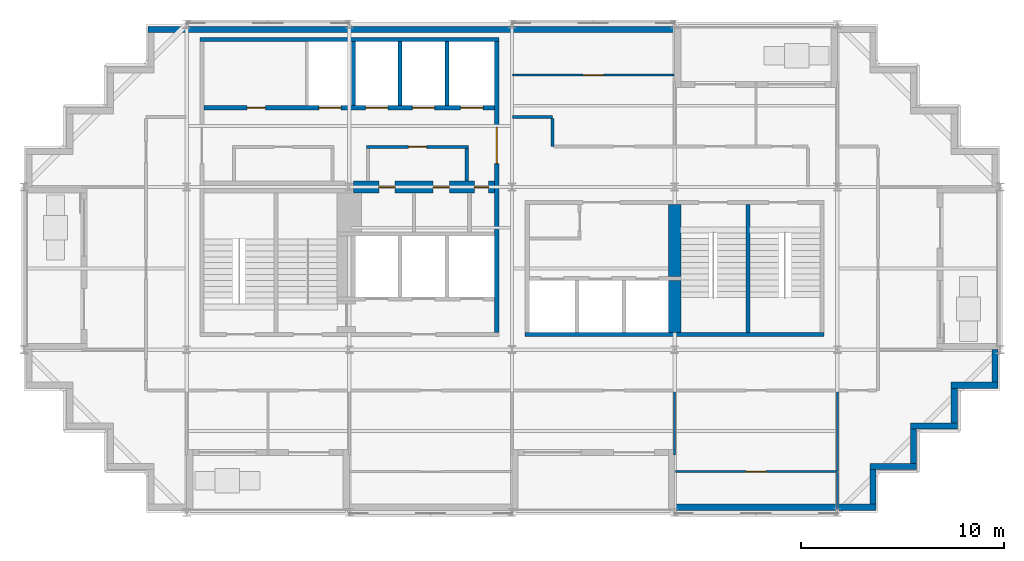
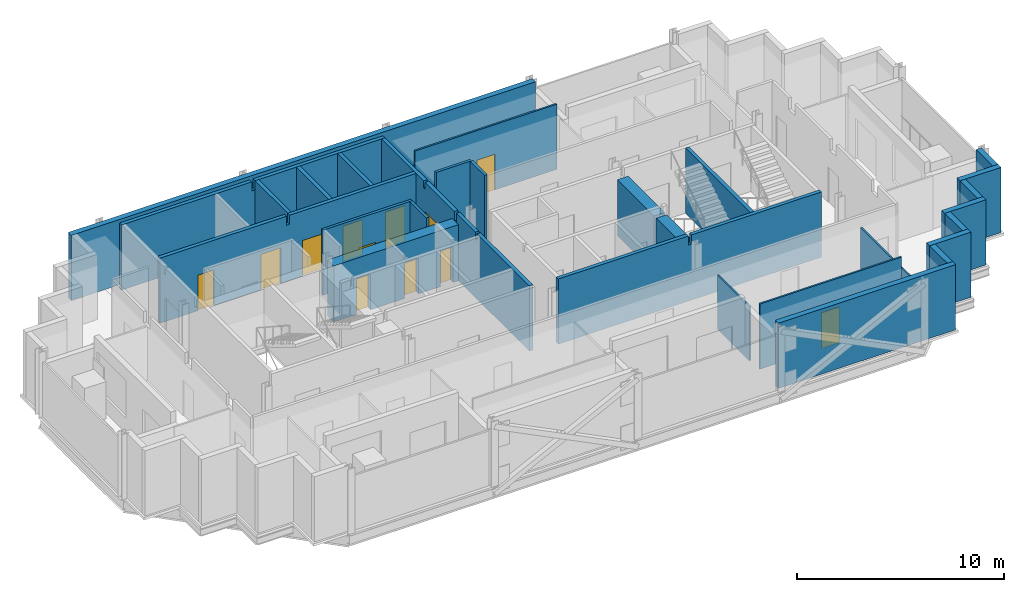
# One storey, part 6 of 10: 29 walls, 12 doors, 12 openings.
"""IFC4 building model written with IfcOpenShell, lengths in metres."""

from ifc_helpers import new_model, si_unit, direction, frame, frame_2d, origin, place, context, subcontext, project, spatial, polyline, rectangle, outline, extrude, material, layer, layer_set, type_object, element, fill, save


model = new_model("IFC4")

# Units and contexts
model_context = context("Model", 3, precision=1e-05, world=origin(), true_north=direction((0.0, 1.0)))
body_context = subcontext(model_context, "Body", "Model", "MODEL_VIEW")
ifc_project = project(units=[si_unit("LENGTHUNIT", "METRE"), si_unit("AREAUNIT", "SQUARE_METRE"), si_unit("VOLUMEUNIT", "CUBIC_METRE"), si_unit("PLANEANGLEUNIT", "RADIAN"), si_unit("MASSUNIT", "GRAM", prefix="KILO")], contexts=[model_context])

# Site, building, storey
site_placement = place(None, origin())
site = spatial("IfcSite", under=ifc_project, at=site_placement, CompositionType="ELEMENT")
building_placement = place(site_placement, origin())
building = spatial("IfcBuilding", under=site, at=building_placement, Name="Immortelle Media Tower", CompositionType="ELEMENT")
storey_placement = place(building_placement, frame((0.0, 0.0, 259.0)))
storey = spatial("IfcBuildingStorey", under=building, at=storey_placement, Name="L56", CompositionType="ELEMENT", Elevation=259.0)

# Wall, openings, doors
ifc_material_1 = material(Name="Fire-rated masonry blockwork", Category="masonry")
ifc_layer_1 = layer(ifc_material_1, 0.60009765625)
ifc_layer_set_1 = layer_set([ifc_layer_1], Name="Fire-rated masonry blockwork")
wall_type_1 = type_object("IfcWallType", Name="Core grid-line wall 600", PredefinedType="PARTITIONING", material=ifc_layer_set_1)
wall_1_placement = place(storey_placement, frame((16.195556640625, 16.0, 0.0), z_axis=(0.0, 0.0, 1.0), x_axis=(1.0, 0.0, 0.0)))
wall_1 = element("IfcWall", 1, at=wall_1_placement, inside=storey, type_object=wall_type_1, Name="Core grid-line wall SW", PredefinedType="PARTITIONING", context=body_context, shape_type="SweptSolid", body=[
    extrude(rectangle(XDim=6.954345703125, YDim=0.60009765625, at=frame_2d((3.47705078125, 0.0))), origin(), (0.0, 0.0, 1.0), 3.30810546875),
])
opening_1_placement = place(wall_1_placement, frame((2.054443359375, 0.0, 0.0), z_axis=(0.0, 0.0, 1.0), x_axis=(-1.0, 0.0, 0.0)))
opening_1 = element("IfcOpeningElement", 2, at=opening_1_placement, cuts=wall_1, Name="Opening X2-K010", PredefinedType="OPENING", context=body_context, shape_type="SweptSolid", body=[
    extrude(rectangle(XDim=0.800048828125, YDim=2.10009765625, at=frame_2d((0.39990234375, 1.050048828125))), frame((0.0, 0.31005859375, 0.0), z_axis=(0.0, -1.0, 0.0), x_axis=(1.0, 0.0, 0.0)), (0.0, 0.0, 1.0), 0.6201171875),
])
opening_2_placement = place(wall_1_placement, frame((3.929443359375, 0.0, 0.0)))
opening_2 = element("IfcOpeningElement", 3, at=opening_2_placement, cuts=wall_1, Name="Opening X2-K015", PredefinedType="OPENING", context=body_context, shape_type="SweptSolid", body=[
    extrude(rectangle(XDim=0.800048828125, YDim=2.10009765625, at=frame_2d((0.39990234375, 1.050048828125))), frame((0.0, 0.31005859375, 0.0), z_axis=(0.0, -1.0, 0.0), x_axis=(1.0, 0.0, 0.0)), (0.0, 0.0, 1.0), 0.6201171875),
])
opening_3_placement = place(wall_1_placement, frame((6.654541015625, 0.0, 0.0), z_axis=(0.0, 0.0, 1.0), x_axis=(-1.0, 0.0, 0.0)))
opening_3 = element("IfcOpeningElement", 4, at=opening_3_placement, cuts=wall_1, Name="Opening X2-K018", PredefinedType="OPENING", context=body_context, shape_type="SweptSolid", body=[
    extrude(rectangle(XDim=0.699951171875, YDim=2.10009765625, at=frame_2d((0.35009765625, 1.050048828125))), frame((0.0, 0.31005859375, 0.0), z_axis=(0.0, -1.0, 0.0), x_axis=(1.0, 0.0, 0.0)), (0.0, 0.0, 1.0), 0.6201171875),
])
ifc_material_2 = material(Name="Galvanised steel door leaf and frame ASTM A653", Category="steel")
door_type_1 = type_object("IfcDoorType", Name="Service door 700 x 2100", OperationType="NOTDEFINED", PredefinedType="NOTDEFINED", material=ifc_material_2)
door_1_placement = place(opening_3_placement, origin())
door_1 = element("IfcDoor", 5, at=door_1_placement, inside=storey, type_object=door_type_1, Name="Service X2-K018", OperationType="SINGLE_SWING_RIGHT", OverallHeight=2.10009765625, OverallWidth=0.699951171875, PredefinedType="NOTDEFINED", context=body_context, shape_type="SweptSolid", body=[
    extrude(rectangle(XDim=0.699951171875, YDim=2.10009765625, at=frame_2d((0.35009765625, 1.050048828125))), frame((0.0, 0.02490234375, 0.0), z_axis=(0.0, -1.0, 0.0), x_axis=(1.0, 0.0, 0.0)), (0.0, 0.0, 1.0), 0.050048828125),
])
fill(opening_3, door_1)
ifc_material_3 = material(Name="Timber", Category="wood")
door_type_2 = type_object("IfcDoorType", Name="Toilet door 800 x 2100", OperationType="NOTDEFINED", PredefinedType="NOTDEFINED", material=ifc_material_3)
door_2_placement = place(opening_1_placement, origin())
door_2 = element("IfcDoor", 6, at=door_2_placement, inside=storey, type_object=door_type_2, Name="Toilet X2-K010", OperationType="SINGLE_SWING_RIGHT", OverallHeight=2.10009765625, OverallWidth=0.800048828125, PredefinedType="NOTDEFINED", context=body_context, shape_type="SweptSolid", body=[
    extrude(rectangle(XDim=0.800048828125, YDim=2.10009765625, at=frame_2d((0.39990234375, 1.050048828125))), frame((0.0, 0.02490234375, 0.0), z_axis=(0.0, -1.0, 0.0), x_axis=(1.0, 0.0, 0.0)), (0.0, 0.0, 1.0), 0.050048828125),
])
fill(opening_1, door_2)
door_3_placement = place(opening_2_placement, origin())
door_3 = element("IfcDoor", 7, at=door_3_placement, inside=storey, type_object=door_type_2, Name="Toilet X2-K015", OperationType="SINGLE_SWING_RIGHT", OverallHeight=2.10009765625, OverallWidth=0.800048828125, PredefinedType="NOTDEFINED", context=body_context, shape_type="SweptSolid", body=[
    extrude(rectangle(XDim=0.800048828125, YDim=2.10009765625, at=frame_2d((0.39990234375, 1.050048828125))), frame((0.0, 0.02490234375, 0.0), z_axis=(0.0, -1.0, 0.0), x_axis=(1.0, 0.0, 0.0)), (0.0, 0.0, 1.0), 0.050048828125),
])
fill(opening_2, door_3)

# Wall, opening, door
ifc_material_4 = material(Name="Fire-rated gypsum board", Category="gypsum")
ifc_layer_2 = layer(ifc_material_4, 0.02490234375)
ifc_material_5 = material(Name="Steel ASTM A653 SS Gr 50 stud frame with mineral wool", Category="steel")
ifc_layer_3 = layer(ifc_material_5, 0.10009765625)
ifc_layer_4 = layer(ifc_material_4, 0.02490234375)
ifc_layer_set_2 = layer_set([ifc_layer_2, ifc_layer_3, ifc_layer_4], Name="Steel ASTM A653 SS Gr 50 stud frame with mineral wool")
wall_type_2 = type_object("IfcWallType", Name="Core partition 150", PredefinedType="PARTITIONING", material=ifc_layer_set_2)
wall_2_placement = place(storey_placement, frame((16.85009765625, 17.97509765625, 0.0), z_axis=(0.0, 0.0, 1.0), x_axis=(1.0, 0.0, 0.0)))
wall_2 = element("IfcWall", 8, at=wall_2_placement, inside=storey, type_object=wall_type_2, Name="Core partition SW", PredefinedType="PARTITIONING", context=body_context, shape_type="SweptSolid", body=[
    extrude(rectangle(XDim=5.0, YDim=0.14990234375, at=frame_2d((2.5, 0.0))), origin(), (0.0, 0.0, 1.0), 3.85009765625),
])
opening_4_placement = place(wall_2_placement, frame((2.949951171875, 0.0, 0.0), z_axis=(0.0, 0.0, 1.0), x_axis=(-1.0, 0.0, 0.0)))
opening_4 = element("IfcOpeningElement", 9, at=opening_4_placement, cuts=wall_2, Name="Opening X2-K011", PredefinedType="OPENING", context=body_context, shape_type="SweptSolid", body=[
    extrude(rectangle(XDim=0.89990234375, YDim=2.10009765625, at=frame_2d((0.449951171875, 1.050048828125))), frame((0.0, 0.0849609375, 0.0), z_axis=(0.0, -1.0, 0.0), x_axis=(1.0, 0.0, 0.0)), (0.0, 0.0, 1.0), 0.169921875),
])
door_type_3 = type_object("IfcDoorType", Name="Room door 900 x 2100", OperationType="NOTDEFINED", PredefinedType="NOTDEFINED", material=ifc_material_3)
door_4_placement = place(opening_4_placement, origin())
door_4 = element("IfcDoor", 10, at=door_4_placement, inside=storey, type_object=door_type_3, Name="Room X2-K011", OperationType="SINGLE_SWING_LEFT", OverallHeight=2.10009765625, OverallWidth=0.89990234375, PredefinedType="NOTDEFINED", context=body_context, shape_type="SweptSolid", body=[
    extrude(rectangle(XDim=0.89990234375, YDim=2.10009765625, at=frame_2d((0.449951171875, 1.050048828125))), frame((0.0, 0.02490234375, 0.0), z_axis=(0.0, -1.0, 0.0), x_axis=(1.0, 0.0, 0.0)), (0.0, 0.0, 1.0), 0.050048828125),
])
fill(opening_4, door_4)

# Walls
wall_3_placement = place(storey_placement, frame((21.77490234375, 16.300048828125, 0.0), z_axis=(0.0, 0.0, 1.0), x_axis=(0.0, 1.0, 0.0)))
element("IfcWall", 11, at=wall_3_placement, inside=storey, type_object=wall_type_2, Name="Core partition SW", PredefinedType="PARTITIONING", context=body_context, shape_type="SweptSolid", body=[
    extrude(rectangle(XDim=1.599853515625, YDim=0.14990234375, at=frame_2d((0.7998046875, 0.0))), origin(), (0.0, 0.0, 1.0), 3.85009765625),
])
ifc_layer_5 = layer(ifc_material_4, 0.03759765625)
ifc_layer_6 = layer(ifc_material_5, 0.125)
ifc_layer_7 = layer(ifc_material_4, 0.03759765625)
ifc_layer_set_3 = layer_set([ifc_layer_5, ifc_layer_6, ifc_layer_7], Name="Steel ASTM A653 SS Gr 50 stud frame with mineral wool")
wall_type_3 = type_object("IfcWallType", Name="Core shaft wall 200", PredefinedType="PARTITIONING", material=ifc_layer_set_3)
wall_4_placement = place(storey_placement, frame((8.64990234375, 23.25, 0.0), z_axis=(0.0, 0.0, 1.0), x_axis=(1.0, 0.0, 0.0)))
element("IfcWall", 12, at=wall_4_placement, inside=storey, type_object=wall_type_3, Name="Core shaft wall SW", PredefinedType="PARTITIONING", context=body_context, shape_type="SweptSolid", body=[
    extrude(outline(polyline([(0.0, 0.0), (14.7001953125, 0.0), (14.699951171875, 3.85009765625), (7.4384765625, 3.85009765625), (7.4375, 3.30810546875), (7.262451171875, 3.30810546875), (7.261474609375, 3.85009765625), (0.0, 3.85009765625), (0.0, 0.0)])), frame((0.0, 0.10009765625, 0.0), z_axis=(0.0, -1.0, 0.0), x_axis=(1.0, 0.0, 0.0)), (0.0, 0.0, 1.0), 0.199951171875),
])

# Wall, openings, doors
wall_5_placement = place(storey_placement, frame((8.85009765625, 19.89990234375, 0.0), z_axis=(0.0, 0.0, 1.0), x_axis=(1.0, 0.0, 0.0)))
wall_5 = element("IfcWall", 13, at=wall_5_placement, inside=storey, type_object=wall_type_3, Name="Core shaft wall SW", PredefinedType="PARTITIONING", context=body_context, shape_type="SweptSolid", body=[
    extrude(outline(polyline([(0.0, 0.0), (14.2998046875, 0.0), (14.300048828125, 3.85009765625), (7.238525390625, 3.85009765625), (7.237548828125, 3.30810546875), (7.0625, 3.30810546875), (7.0615234375, 3.85009765625), (0.0, 3.85009765625), (0.0, 0.0)])), frame((0.0, 0.10009765625, 0.0), z_axis=(0.0, -1.0, 0.0), x_axis=(1.0, 0.0, 0.0)), (0.0, 0.0, 1.0), 0.199951171875),
])
opening_5_placement = place(wall_5_placement, frame((2.125, 0.0, 0.0)))
opening_5 = element("IfcOpeningElement", 14, at=opening_5_placement, cuts=wall_5, Name="Opening X2-K003", PredefinedType="OPENING", context=body_context, shape_type="SweptSolid", body=[
    extrude(rectangle(XDim=0.89990234375, YDim=2.10009765625, at=frame_2d((0.449951171875, 1.050048828125))), frame((0.0, 0.10986328125, 0.0), z_axis=(0.0, -1.0, 0.0), x_axis=(1.0, 0.0, 0.0)), (0.0, 0.0, 1.0), 0.219970703125),
])
opening_6_placement = place(wall_5_placement, frame((5.64990234375, 0.0, 0.0)))
opening_6 = element("IfcOpeningElement", 15, at=opening_6_placement, cuts=wall_5, Name="Opening LD", PredefinedType="OPENING", context=body_context, shape_type="SweptSolid", body=[
    extrude(rectangle(XDim=1.10009765625, YDim=2.10009765625, at=frame_2d((0.550048828125, 1.050048828125))), frame((0.0, 0.10986328125, 0.0), z_axis=(0.0, -1.0, 0.0), x_axis=(1.0, 0.0, 0.0)), (0.0, 0.0, 1.0), 0.219970703125),
])
opening_7_placement = place(wall_5_placement, frame((7.949951171875, 0.0, 0.0)))
opening_7 = element("IfcOpeningElement", 16, at=opening_7_placement, cuts=wall_5, Name="Opening LD", PredefinedType="OPENING", context=body_context, shape_type="SweptSolid", body=[
    extrude(rectangle(XDim=1.10009765625, YDim=2.10009765625, at=frame_2d((0.550048828125, 1.050048828125))), frame((0.0, 0.10986328125, 0.0), z_axis=(0.0, -1.0, 0.0), x_axis=(1.0, 0.0, 0.0)), (0.0, 0.0, 1.0), 0.219970703125),
])
opening_8_placement = place(wall_5_placement, frame((10.25, 0.0, 0.0)))
opening_8 = element("IfcOpeningElement", 17, at=opening_8_placement, cuts=wall_5, Name="Opening LD", PredefinedType="OPENING", context=body_context, shape_type="SweptSolid", body=[
    extrude(rectangle(XDim=1.10009765625, YDim=2.10009765625, at=frame_2d((0.550048828125, 1.050048828125))), frame((0.0, 0.10986328125, 0.0), z_axis=(0.0, -1.0, 0.0), x_axis=(1.0, 0.0, 0.0)), (0.0, 0.0, 1.0), 0.219970703125),
])
opening_9_placement = place(wall_5_placement, frame((12.625, 0.0, 0.0)))
opening_9 = element("IfcOpeningElement", 18, at=opening_9_placement, cuts=wall_5, Name="Opening LD", PredefinedType="OPENING", context=body_context, shape_type="SweptSolid", body=[
    extrude(rectangle(XDim=1.10009765625, YDim=2.10009765625, at=frame_2d((0.550048828125, 1.050048828125))), frame((0.0, 0.10986328125, 0.0), z_axis=(0.0, -1.0, 0.0), x_axis=(1.0, 0.0, 0.0)), (0.0, 0.0, 1.0), 0.219970703125),
])
ifc_material_6 = material(Name="Stainless steel AISI 304", Category="steel")
door_type_4 = type_object("IfcDoorType", Name="Landing door 1100 x 2100", OperationType="SLIDING_TO_LEFT", PredefinedType="NOTDEFINED", material=ifc_material_6)
door_5_placement = place(opening_6_placement, origin())
door_5 = element("IfcDoor", 19, at=door_5_placement, inside=storey, type_object=door_type_4, Name="Landing door HR1 L56", OperationType="SLIDING_TO_LEFT", OverallHeight=2.10009765625, OverallWidth=1.10009765625, PredefinedType="NOTDEFINED", context=body_context, shape_type="SweptSolid", body=[
    extrude(rectangle(XDim=1.10009765625, YDim=2.10009765625, at=frame_2d((0.550048828125, 1.050048828125))), frame((0.0, 0.02490234375, 0.0), z_axis=(0.0, -1.0, 0.0), x_axis=(1.0, 0.0, 0.0)), (0.0, 0.0, 1.0), 0.050048828125),
])
fill(opening_6, door_5)
door_6_placement = place(opening_7_placement, origin())
door_6 = element("IfcDoor", 20, at=door_6_placement, inside=storey, type_object=door_type_4, Name="Landing door HR2 L56", OperationType="SLIDING_TO_LEFT", OverallHeight=2.10009765625, OverallWidth=1.10009765625, PredefinedType="NOTDEFINED", context=body_context, shape_type="SweptSolid", body=[
    extrude(rectangle(XDim=1.10009765625, YDim=2.10009765625, at=frame_2d((0.550048828125, 1.050048828125))), frame((0.0, 0.02490234375, 0.0), z_axis=(0.0, -1.0, 0.0), x_axis=(1.0, 0.0, 0.0)), (0.0, 0.0, 1.0), 0.050048828125),
])
fill(opening_7, door_6)
door_7_placement = place(opening_8_placement, origin())
door_7 = element("IfcDoor", 21, at=door_7_placement, inside=storey, type_object=door_type_4, Name="Landing door HR3 L56", OperationType="SLIDING_TO_LEFT", OverallHeight=2.10009765625, OverallWidth=1.10009765625, PredefinedType="NOTDEFINED", context=body_context, shape_type="SweptSolid", body=[
    extrude(rectangle(XDim=1.10009765625, YDim=2.10009765625, at=frame_2d((0.550048828125, 1.050048828125))), frame((0.0, 0.02490234375, 0.0), z_axis=(0.0, -1.0, 0.0), x_axis=(1.0, 0.0, 0.0)), (0.0, 0.0, 1.0), 0.050048828125),
])
fill(opening_8, door_7)
door_8_placement = place(opening_9_placement, origin())
door_8 = element("IfcDoor", 22, at=door_8_placement, inside=storey, type_object=door_type_4, Name="Landing door HR4 L56", OperationType="SLIDING_TO_LEFT", OverallHeight=2.10009765625, OverallWidth=1.10009765625, PredefinedType="NOTDEFINED", context=body_context, shape_type="SweptSolid", body=[
    extrude(rectangle(XDim=1.10009765625, YDim=2.10009765625, at=frame_2d((0.550048828125, 1.050048828125))), frame((0.0, 0.02490234375, 0.0), z_axis=(0.0, -1.0, 0.0), x_axis=(1.0, 0.0, 0.0)), (0.0, 0.0, 1.0), 0.050048828125),
])
fill(opening_9, door_8)
door_9_placement = place(opening_5_placement, origin())
door_9 = element("IfcDoor", 23, at=door_9_placement, inside=storey, type_object=door_type_3, Name="Room X2-K003", OperationType="SINGLE_SWING_RIGHT", OverallHeight=2.10009765625, OverallWidth=0.89990234375, PredefinedType="NOTDEFINED", context=body_context, shape_type="SweptSolid", body=[
    extrude(rectangle(XDim=0.89990234375, YDim=2.10009765625, at=frame_2d((0.449951171875, 1.050048828125))), frame((0.0, 0.02490234375, 0.0), z_axis=(0.0, -1.0, 0.0), x_axis=(1.0, 0.0, 0.0)), (0.0, 0.0, 1.0), 0.050048828125),
])
fill(opening_5, door_9)

# Walls
for number, where, z_axis, x_axis, name in (
    (24, (16.199951171875, 20.0, 0.0), (0.0, 0.0, 1.0), (0.0, 1.0, 0.0), "Core shaft wall SW"),
    (25, (18.5, 20.0, 0.0), (0.0, 0.0, 1.0), (0.0, 1.0, 0.0), "Core shaft wall SW"),
    (26, (20.800048828125, 20.0, 0.0), (0.0, 0.0, 1.0), (0.0, 1.0, 0.0), "Core shaft wall SW"),
):
    element("IfcWall", number, at=place(storey_placement, frame(where, z_axis=z_axis, x_axis=x_axis)), inside=storey, type_object=wall_type_3, Name=name, PredefinedType="PARTITIONING", context=body_context, shape_type="SweptSolid", body=[
        extrude(rectangle(XDim=3.14990234375, YDim=0.199951171875, at=frame_2d((1.574951171875, 0.0))), origin(), (0.0, 0.0, 1.0), 3.85009765625),
    ])

# Wall, opening, door
wall_6_placement = place(storey_placement, frame((23.25, 8.85009765625, 0.0), z_axis=(0.0, 0.0, 1.0), x_axis=(0.0, 1.0, 0.0)))
wall_6 = element("IfcWall", 27, at=wall_6_placement, inside=storey, type_object=wall_type_3, Name="Core shaft wall SW", PredefinedType="PARTITIONING", context=body_context, shape_type="SweptSolid", body=[
    extrude(outline(polyline([(0.0, 0.0), (14.2998046875, 0.0), (14.300048828125, 3.85009765625), (10.22509765625, 3.85009765625), (10.22412109375, 3.43994140625), (10.075927734375, 3.43994140625), (10.074951171875, 3.85009765625), (7.238525390625, 3.85009765625), (7.237548828125, 3.30810546875), (7.0625, 3.30810546875), (7.0615234375, 3.85009765625), (5.22509765625, 3.85009765625), (5.22412109375, 3.43994140625), (5.075927734375, 3.43994140625), (5.074951171875, 3.85009765625), (0.0, 3.85009765625), (0.0, 0.0)])), frame((0.0, 0.10009765625, 0.0), z_axis=(0.0, -1.0, 0.0), x_axis=(1.0, 0.0, 0.0)), (0.0, 0.0, 1.0), 0.199951171875),
])
opening_10_placement = place(wall_6_placement, frame((8.300048828125, 0.0, 0.0)))
opening_10 = element("IfcOpeningElement", 28, at=opening_10_placement, cuts=wall_6, Name="Opening X2-K019", PredefinedType="OPENING", context=body_context, shape_type="SweptSolid", body=[
    extrude(rectangle(XDim=1.800048828125, YDim=2.10009765625, at=frame_2d((0.89990234375, 1.050048828125))), frame((0.0, 0.10986328125, 0.0), z_axis=(0.0, -1.0, 0.0), x_axis=(1.0, 0.0, 0.0)), (0.0, 0.0, 1.0), 0.219970703125),
])
door_type_5 = type_object("IfcDoorType", Name="Lift lobby door 1800 x 2100", OperationType="DOUBLE_DOOR_SINGLE_SWING", PredefinedType="NOTDEFINED", material=ifc_material_2)
door_10_placement = place(opening_10_placement, origin())
door_10 = element("IfcDoor", 29, at=door_10_placement, inside=storey, type_object=door_type_5, Name="Lift lobby X2-K019", OperationType="DOUBLE_DOOR_SINGLE_SWING", OverallHeight=2.10009765625, OverallWidth=1.800048828125, PredefinedType="NOTDEFINED", context=body_context, shape_type="SweptSolid", body=[
    extrude(rectangle(XDim=1.800048828125, YDim=2.10009765625, at=frame_2d((0.89990234375, 1.050048828125))), frame((0.0, 0.02490234375, 0.0), z_axis=(0.0, -1.0, 0.0), x_axis=(1.0, 0.0, 0.0)), (0.0, 0.0, 1.0), 0.050048828125),
])
fill(opening_10, door_10)

# Walls
ifc_layer_8 = layer(ifc_material_4, 0.012451171875)
ifc_layer_9 = layer(ifc_material_5, 0.125)
ifc_layer_10 = layer(ifc_material_4, 0.012451171875)
ifc_layer_set_4 = layer_set([ifc_layer_8, ifc_layer_9, ifc_layer_10], Name="Steel ASTM A653 SS Gr 50 stud frame with mineral wool")
wall_type_4 = type_object("IfcWallType", Name="Corridor wall 150", PredefinedType="PARTITIONING", material=ifc_layer_set_4)
wall_7_placement = place(storey_placement, frame((26.0, 18.0, 0.0), z_axis=(0.0, 0.0, 1.0), x_axis=(0.0, 1.0, 0.0)))
element("IfcWall", 30, at=wall_7_placement, inside=storey, type_object=wall_type_4, Name="Partition L56-020", PredefinedType="PARTITIONING", context=body_context, shape_type="SweptSolid", body=[
    extrude(rectangle(XDim=1.375, YDim=0.14990234375, at=frame_2d((0.6875, 0.0))), origin(), (0.0, 0.0, 1.0), 3.85009765625),
])
wall_8_placement = place(storey_placement, frame((24.030029296875, 19.449951171875, 0.0), z_axis=(0.0, 0.0, 1.0), x_axis=(1.0, 0.0, 0.0)))
element("IfcWall", 31, at=wall_8_placement, inside=storey, type_object=wall_type_4, Name="Partition L56-026", PredefinedType="PARTITIONING", context=body_context, shape_type="SweptSolid", body=[
    extrude(rectangle(XDim=1.969970703125, YDim=0.14990234375, at=frame_2d((0.98486328125, 0.0))), origin(), (0.0, 0.0, 1.0), 3.85009765625),
])
ifc_material_7 = material(Name="Pale aluminium cladding panel", Category="aluminium")
ifc_layer_11 = layer(ifc_material_7, 0.030029296875)
ifc_layer_12 = layer(ifc_material_5, 0.257568359375)
ifc_material_8 = material(Name="Moisture-resistant gypsum board", Category="gypsum")
ifc_layer_13 = layer(ifc_material_8, 0.012451171875)
ifc_layer_set_5 = layer_set([ifc_layer_11, ifc_layer_12, ifc_layer_13], Name="Steel ASTM A653 SS Gr 50 stud frame with mineral wool")
wall_type_5 = type_object("IfcWallType", Name="Facade wall 300", PredefinedType="SOLIDWALL", material=ifc_layer_set_5)
wall_9_placement = place(storey_placement, frame((32.0, 0.25, 0.0), z_axis=(0.0, 0.0, 1.0), x_axis=(1.0, 0.0, 0.0)))
element("IfcWall", 32, at=wall_9_placement, inside=storey, type_object=wall_type_5, Name="Facade wall L56 S6", PredefinedType="SOLIDWALL", context=body_context, shape_type="SweptSolid", body=[
    extrude(rectangle(XDim=9.89990234375, YDim=0.300048828125, at=frame_2d((4.949951171875, 0.0))), origin(), (0.0, 0.0, 1.0), 3.85009765625),
])
wall_10_placement = place(storey_placement, frame((41.75, 0.39990234375, 0.0), z_axis=(0.0, 0.0, 1.0), x_axis=(0.0, 1.0, 0.0)))
element("IfcWall", 33, at=wall_10_placement, inside=storey, type_object=wall_type_5, Name="Facade wall L56 E7", PredefinedType="SOLIDWALL", context=body_context, shape_type="SweptSolid", body=[
    extrude(rectangle(XDim=1.7001953125, YDim=0.300048828125, at=frame_2d((0.85009765625, 0.0))), origin(), (0.0, 0.0, 1.0), 3.85009765625),
])
wall_11_placement = place(storey_placement, frame((41.60009765625, 2.25, 0.0), z_axis=(0.0, 0.0, 1.0), x_axis=(1.0, 0.0, 0.0)))
element("IfcWall", 34, at=wall_11_placement, inside=storey, type_object=wall_type_5, Name="Facade wall L56 S8", PredefinedType="SOLIDWALL", context=body_context, shape_type="SweptSolid", body=[
    extrude(rectangle(XDim=2.2998046875, YDim=0.300048828125, at=frame_2d((1.14990234375, 0.0))), origin(), (0.0, 0.0, 1.0), 3.85009765625),
])
wall_12_placement = place(storey_placement, frame((43.75, 2.39990234375, 0.0), z_axis=(0.0, 0.0, 1.0), x_axis=(0.0, 1.0, 0.0)))
element("IfcWall", 35, at=wall_12_placement, inside=storey, type_object=wall_type_5, Name="Facade wall L56 E9", PredefinedType="SOLIDWALL", context=body_context, shape_type="SweptSolid", body=[
    extrude(rectangle(XDim=1.7001953125, YDim=0.300048828125, at=frame_2d((0.85009765625, 0.0))), origin(), (0.0, 0.0, 1.0), 3.85009765625),
])
wall_13_placement = place(storey_placement, frame((43.60009765625, 4.25, 0.0), z_axis=(0.0, 0.0, 1.0), x_axis=(1.0, 0.0, 0.0)))
element("IfcWall", 36, at=wall_13_placement, inside=storey, type_object=wall_type_5, Name="Facade wall L56 S10", PredefinedType="SOLIDWALL", context=body_context, shape_type="SweptSolid", body=[
    extrude(rectangle(XDim=2.2998046875, YDim=0.300048828125, at=frame_2d((1.14990234375, 0.0))), origin(), (0.0, 0.0, 1.0), 3.85009765625),
])
wall_14_placement = place(storey_placement, frame((45.75, 4.39990234375, 0.0), z_axis=(0.0, 0.0, 1.0), x_axis=(0.0, 1.0, 0.0)))
element("IfcWall", 37, at=wall_14_placement, inside=storey, type_object=wall_type_5, Name="Facade wall L56 E11", PredefinedType="SOLIDWALL", context=body_context, shape_type="SweptSolid", body=[
    extrude(rectangle(XDim=1.7001953125, YDim=0.300048828125, at=frame_2d((0.85009765625, 0.0))), origin(), (0.0, 0.0, 1.0), 3.85009765625),
])
wall_15_placement = place(storey_placement, frame((45.60009765625, 6.25, 0.0), z_axis=(0.0, 0.0, 1.0), x_axis=(1.0, 0.0, 0.0)))
element("IfcWall", 38, at=wall_15_placement, inside=storey, type_object=wall_type_5, Name="Facade wall L56 S12", PredefinedType="SOLIDWALL", context=body_context, shape_type="SweptSolid", body=[
    extrude(rectangle(XDim=2.2998046875, YDim=0.300048828125, at=frame_2d((1.14990234375, 0.0))), origin(), (0.0, 0.0, 1.0), 3.85009765625),
])
wall_16_placement = place(storey_placement, frame((47.75, 6.39990234375, 0.0), z_axis=(0.0, 0.0, 1.0), x_axis=(0.0, 1.0, 0.0)))
element("IfcWall", 39, at=wall_16_placement, inside=storey, type_object=wall_type_5, Name="Facade wall L56 E13", PredefinedType="SOLIDWALL", context=body_context, shape_type="SweptSolid", body=[
    extrude(rectangle(XDim=1.60009765625, YDim=0.300048828125, at=frame_2d((0.800048828125, 0.0))), origin(), (0.0, 0.0, 1.0), 3.85009765625),
])
wall_17_placement = place(storey_placement, frame((32.0, 23.75, 0.0), z_axis=(0.0, 0.0, 1.0), x_axis=(-1.0, 0.0, 0.0)))
element("IfcWall", 40, at=wall_17_placement, inside=storey, type_object=wall_type_5, Name="Facade wall L56 N20", PredefinedType="SOLIDWALL", context=body_context, shape_type="SweptSolid", body=[
    extrude(rectangle(XDim=25.89990234375, YDim=0.300048828125, at=frame_2d((12.949951171875, 0.0))), origin(), (0.0, 0.0, 1.0), 3.85009765625),
])
ifc_material_9 = material(Name="Gypsum board", Category="gypsum")
ifc_layer_14 = layer(ifc_material_9, 0.012451171875)
ifc_layer_15 = layer(ifc_material_5, 0.074951171875)
ifc_layer_16 = layer(ifc_material_9, 0.012451171875)
ifc_layer_set_6 = layer_set([ifc_layer_14, ifc_layer_15, ifc_layer_16], Name="Steel ASTM A653 SS Gr 50 stud frame with mineral wool")
wall_type_6 = type_object("IfcWallType", Name="Partition 100", PredefinedType="PARTITIONING", material=ifc_layer_set_6)
wall_18_placement = place(storey_placement, frame((40.0, 0.1298828125, 0.0), z_axis=(0.0, 0.0, 1.0), x_axis=(0.0, 1.0, 0.0)))
element("IfcWall", 41, at=wall_18_placement, inside=storey, type_object=wall_type_6, Name="Partition L56-001", PredefinedType="PARTITIONING", context=body_context, shape_type="SweptSolid", body=[
    extrude(rectangle(XDim=1.820068359375, YDim=0.10009765625, at=frame_2d((0.91015625, 0.0))), origin(), (0.0, 0.0, 1.0), 3.172119140625),
])

# Wall, opening, door
wall_19_placement = place(storey_placement, frame((32.030029296875, 2.0, 0.0), z_axis=(0.0, 0.0, 1.0), x_axis=(1.0, 0.0, 0.0)))
wall_19 = element("IfcWall", 42, at=wall_19_placement, inside=storey, type_object=wall_type_6, Name="Partition L56-003", PredefinedType="PARTITIONING", context=body_context, shape_type="SweptSolid", body=[
    extrude(rectangle(XDim=7.919921875, YDim=0.10009765625, at=frame_2d((3.9599609375, 0.0))), origin(), (0.0, 0.0, 1.0), 3.85009765625),
])
opening_11_placement = place(wall_19_placement, frame((4.469970703125, 0.0, 0.0), z_axis=(0.0, 0.0, 1.0), x_axis=(-1.0, 0.0, 0.0)))
opening_11 = element("IfcOpeningElement", 43, at=opening_11_placement, cuts=wall_19, Name="Opening X2-F004", PredefinedType="OPENING", context=body_context, shape_type="SweptSolid", body=[
    extrude(rectangle(XDim=1.0, YDim=2.10009765625, at=frame_2d((0.5, 1.050048828125))), frame((0.0, 0.06005859375, 0.0), z_axis=(0.0, -1.0, 0.0), x_axis=(1.0, 0.0, 0.0)), (0.0, 0.0, 1.0), 0.1201171875),
])
ifc_material_10 = material(Name="Timber veneered door leaf, galvanised steel frame ASTM A653", Category="steel")
door_type_6 = type_object("IfcDoorType", Name="Room door 1000 x 2100", OperationType="NOTDEFINED", PredefinedType="DOOR", material=ifc_material_10)
door_11_placement = place(opening_11_placement, origin())
door_11 = element("IfcDoor", 44, at=door_11_placement, inside=storey, type_object=door_type_6, Name="Door X2-F004", OperationType="SINGLE_SWING_LEFT", OverallHeight=2.10009765625, OverallWidth=1.0, PredefinedType="DOOR", context=body_context, shape_type="SweptSolid", body=[
    extrude(rectangle(XDim=1.0, YDim=2.10009765625, at=frame_2d((0.5, 1.050048828125))), frame((0.0, 0.02490234375, 0.0), z_axis=(0.0, -1.0, 0.0), x_axis=(1.0, 0.0, 0.0)), (0.0, 0.0, 1.0), 0.050048828125),
])
fill(opening_11, door_11)

# Walls
wall_20_placement = place(storey_placement, frame((40.0, 2.0, 0.0), z_axis=(0.0, 0.0, 1.0), x_axis=(0.0, 1.0, 0.0)))
element("IfcWall", 45, at=wall_20_placement, inside=storey, type_object=wall_type_6, Name="Partition L56-004", PredefinedType="PARTITIONING", context=body_context, shape_type="SweptSolid", body=[
    extrude(rectangle(XDim=3.925048828125, YDim=0.10009765625, at=frame_2d((1.96240234375, 0.0))), origin(), (0.0, 0.0, 1.0), 3.172119140625),
])
wall_21_placement = place(storey_placement, frame((32.0, 2.830078125, 0.0), z_axis=(0.0, 0.0, 1.0), x_axis=(0.0, 1.0, 0.0)))
element("IfcWall", 46, at=wall_21_placement, inside=storey, type_object=wall_type_6, Name="Partition L56-009", PredefinedType="PARTITIONING", context=body_context, shape_type="SweptSolid", body=[
    extrude(rectangle(XDim=3.094970703125, YDim=0.10009765625, at=frame_2d((1.54736328125, 0.0))), origin(), (0.0, 0.0, 1.0), 3.172119140625),
])

# Wall, opening, door
wall_22_placement = place(storey_placement, frame((24.030029296875, 21.5, 0.0), z_axis=(0.0, 0.0, 1.0), x_axis=(1.0, 0.0, 0.0)))
wall_22 = element("IfcWall", 47, at=wall_22_placement, inside=storey, type_object=wall_type_6, Name="Partition L56-027", PredefinedType="PARTITIONING", context=body_context, shape_type="SweptSolid", body=[
    extrude(rectangle(XDim=7.93994140625, YDim=0.10009765625, at=frame_2d((3.969970703125, 0.0))), origin(), (0.0, 0.0, 1.0), 3.85009765625),
])
opening_12_placement = place(wall_22_placement, frame((3.469970703125, 0.0, 0.0)))
opening_12 = element("IfcOpeningElement", 48, at=opening_12_placement, cuts=wall_22, Name="Opening X2-F017", PredefinedType="OPENING", context=body_context, shape_type="SweptSolid", body=[
    extrude(rectangle(XDim=1.0, YDim=2.10009765625, at=frame_2d((0.5, 1.050048828125))), frame((0.0, 0.06005859375, 0.0), z_axis=(0.0, -1.0, 0.0), x_axis=(1.0, 0.0, 0.0)), (0.0, 0.0, 1.0), 0.1201171875),
])
door_12_placement = place(opening_12_placement, origin())
door_12 = element("IfcDoor", 49, at=door_12_placement, inside=storey, type_object=door_type_6, Name="Door X2-F017", OperationType="SINGLE_SWING_LEFT", OverallHeight=2.10009765625, OverallWidth=1.0, PredefinedType="DOOR", context=body_context, shape_type="SweptSolid", body=[
    extrude(rectangle(XDim=1.0, YDim=2.10009765625, at=frame_2d((0.5, 1.050048828125))), frame((0.0, 0.02490234375, 0.0), z_axis=(0.0, -1.0, 0.0), x_axis=(1.0, 0.0, 0.0)), (0.0, 0.0, 1.0), 0.050048828125),
])
fill(opening_12, door_12)

# Walls
ifc_material_11 = material(Name="Concrete C60", Category="concrete")
ifc_layer_17 = layer(ifc_material_11, 0.199951171875)
ifc_layer_set_7 = layer_set([ifc_layer_17], Name="Concrete C60")
wall_type_7 = type_object("IfcWallType", Name="Stair shaft wall 200", PredefinedType="PARTITIONING", material=ifc_layer_set_7)
wall_23_placement = place(storey_placement, frame((24.64990234375, 8.75, 0.0), z_axis=(0.0, 0.0, 1.0), x_axis=(1.0, 0.0, 0.0)))
element("IfcWall", 50, at=wall_23_placement, inside=storey, type_object=wall_type_7, Name="Stair shaft wall SE", PredefinedType="PARTITIONING", context=body_context, shape_type="SweptSolid", body=[
    extrude(outline(polyline([(0.0, 0.0), (14.7001953125, 0.0), (14.699951171875, 3.85009765625), (7.4384765625, 3.85009765625), (7.4375, 3.30810546875), (7.262451171875, 3.30810546875), (7.261474609375, 3.85009765625), (0.0, 3.85009765625), (0.0, 0.0)])), frame((0.0, 0.10009765625, 0.0), z_axis=(0.0, -1.0, 0.0), x_axis=(1.0, 0.0, 0.0)), (0.0, 0.0, 1.0), 0.199951171875),
])
wall_24_placement = place(storey_placement, frame((35.60009765625, 8.85009765625, 0.0), z_axis=(0.0, 0.0, 1.0), x_axis=(0.0, 1.0, 0.0)))
element("IfcWall", 51, at=wall_24_placement, inside=storey, type_object=wall_type_7, Name="Stair shaft wall SE", PredefinedType="PARTITIONING", context=body_context, shape_type="SweptSolid", body=[
    extrude(rectangle(XDim=6.2998046875, YDim=0.199951171875, at=frame_2d((3.14990234375, 0.0))), origin(), (0.0, 0.0, 1.0), 3.85009765625),
])
ifc_layer_18 = layer(ifc_material_11, 0.60009765625)
ifc_layer_set_8 = layer_set([ifc_layer_18], Name="Concrete C60")
wall_type_8 = type_object("IfcWallType", Name="Stair shaft wall 600", PredefinedType="PARTITIONING", material=ifc_layer_set_8)
wall_25_placement = place(storey_placement, frame((32.0, 8.85009765625, 0.0), z_axis=(0.0, 0.0, 1.0), x_axis=(0.0, 1.0, 0.0)))
element("IfcWall", 52, at=wall_25_placement, inside=storey, type_object=wall_type_8, Name="Stair shaft wall SE", PredefinedType="PARTITIONING", context=body_context, shape_type="SweptSolid", body=[
    extrude(rectangle(XDim=2.5498046875, YDim=0.60009765625, at=frame_2d((1.27490234375, 0.0))), origin(), (0.0, 0.0, 1.0), 3.30810546875),
])
wall_26_placement = place(storey_placement, frame((32.0, 11.60009765625, 0.0), z_axis=(0.0, 0.0, 1.0), x_axis=(0.0, 1.0, 0.0)))
element("IfcWall", 53, at=wall_26_placement, inside=storey, type_object=wall_type_8, Name="Stair shaft wall SE", PredefinedType="PARTITIONING", context=body_context, shape_type="SweptSolid", body=[
    extrude(rectangle(XDim=3.5498046875, YDim=0.60009765625, at=frame_2d((1.77490234375, 0.0))), origin(), (0.0, 0.0, 1.0), 3.30810546875),
])

save(model, "model.ifc")
